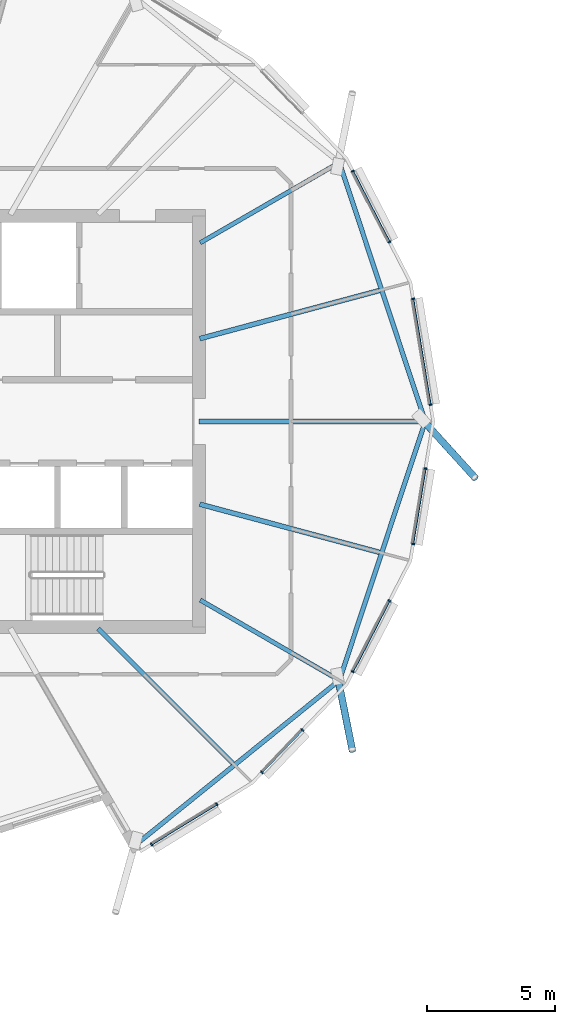
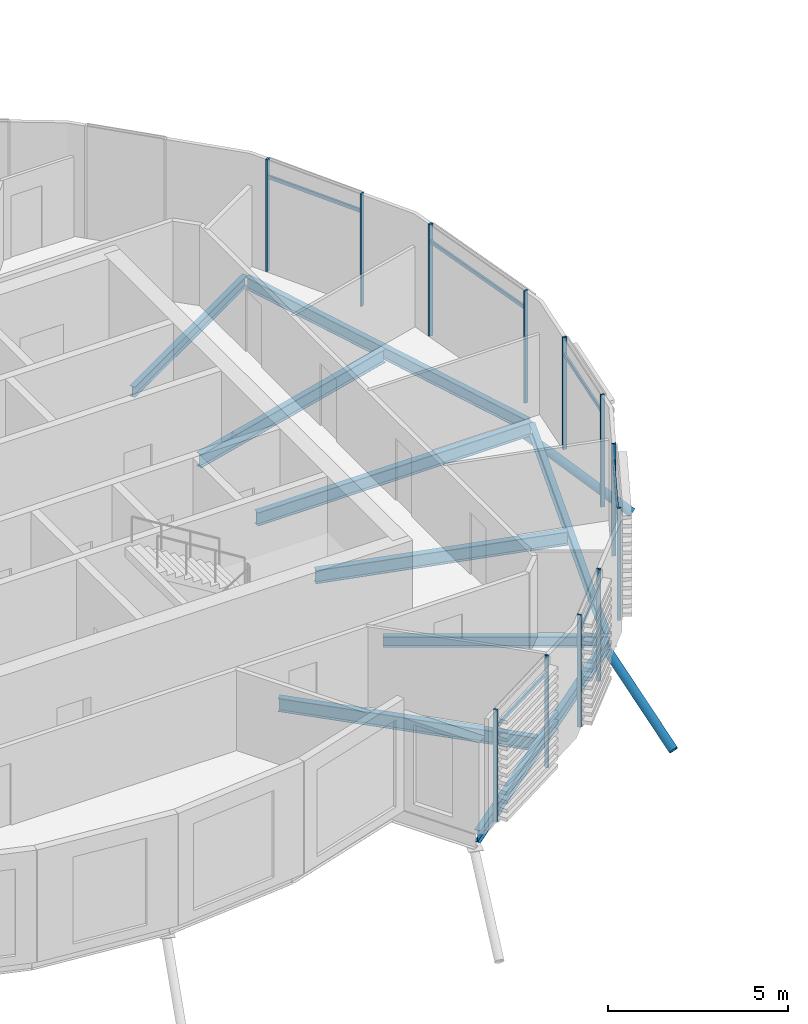
# One storey, part 6 of 41: 20 members, 9 beams, 1 element without a shape of its own.
"""IFC4 building model written with IfcOpenShell, lengths in metres."""

import ifcopenshell
import ifcopenshell.guid

model = None  # the IFC model being written
_history = None  # IfcOwnerHistory: only IFC2X3 demands one
_inside = {}  # id of a spatial element -> (the spatial element, [elements in it])
_under = {}  # id of a project, library or spatial element -> (it, [spatial elements below it])
_declared = {}  # id of a project -> (the project, [libraries it declares])
_typed = {}  # id of a type object -> (the type object, [elements of that type])
_made_of = {}  # id of a material, layer set ... -> (it, [elements and type objects made of it])


def new_model(schema):
    """Start an empty IFC model of exactly this schema.

    Asked for "IFC4X3", IfcOpenShell would pick the latest addendum, in which some entities
    have other attributes; the version numbers below select the first issue.
    IFC2X3 requires an IfcOwnerHistory on every rooted entity: one is made here for all.
    """
    global model, _history
    if schema == "IFC4X3":
        model = ifcopenshell.file(schema_version=(4, 3, 0, 0))
    else:
        model = ifcopenshell.file(schema=schema)
    _inside.clear()
    _under.clear()
    _declared.clear()
    _typed.clear()
    _made_of.clear()
    _history = None
    if model.schema == "IFC2X3":
        org = make("IfcOrganization", Name="unknown")
        user = make(
            "IfcPersonAndOrganization",
            ThePerson=make("IfcPerson", FamilyName="unknown"),
            TheOrganization=org,
        )
        app = make(
            "IfcApplication",
            ApplicationDeveloper=org,
            Version="unknown",
            ApplicationFullName="unknown",
            ApplicationIdentifier="unknown",
        )
        _history = make(
            "IfcOwnerHistory",
            OwningUser=user,
            OwningApplication=app,
            ChangeAction="ADDED",
            CreationDate=0,
        )
    return model


def make(cls, **values):
    """One entity of the class cls with the attributes given. An attribute that is None is left unset."""
    return model.create_entity(
        cls, **{name: value for name, value in values.items() if value is not None}
    )


def rooted(cls, **values):
    """An entity with a GlobalId (a new one), such as an element, a storey or a relation."""
    return make(cls, GlobalId=ifcopenshell.guid.new(), OwnerHistory=_history, **values)


def si_unit(unit_type, name, prefix=None):
    """IfcSIUnit, for example si_unit("LENGTHUNIT", "METRE", prefix="MILLI")."""
    return make("IfcSIUnit", UnitType=unit_type, Prefix=prefix, Name=name)


def assignment(units):
    """IfcUnitAssignment: the units of a project."""
    return None if units is None else make("IfcUnitAssignment", Units=units)


def point(xyz):
    """IfcCartesianPoint."""
    return None if xyz is None else make("IfcCartesianPoint", Coordinates=xyz)


def direction(xyz):
    """IfcDirection."""
    return None if xyz is None else make("IfcDirection", DirectionRatios=xyz)


def frame(location, z_axis=None, x_axis=None):
    """IfcAxis2Placement3D, a coordinate frame: its origin and axes. An axis left out is left unset."""
    return make(
        "IfcAxis2Placement3D",
        Location=point(location),
        Axis=direction(z_axis),
        RefDirection=direction(x_axis),
    )


def frame_2d(location, x_axis=None):
    """IfcAxis2Placement2D, a coordinate frame in the plane: its origin and x axis."""
    return make(
        "IfcAxis2Placement2D", Location=point(location), RefDirection=direction(x_axis)
    )


def origin():
    """The frame at (0, 0, 0) with its axes left unset."""
    return frame((0.0, 0.0, 0.0))


def origin_2d():
    """The frame at (0, 0) in the plane with its x axis left unset."""
    return frame_2d((0.0, 0.0))


def place(relative_to, where):
    """IfcLocalPlacement: puts the frame where relative to a parent placement (None: the world)."""
    return make(
        "IfcLocalPlacement", PlacementRelTo=relative_to, RelativePlacement=where
    )


def context(
    kind, dimensions, precision=None, world=None, true_north=None, identifier=None
):
    """IfcGeometricRepresentationContext, for example the 3D "Model" context."""
    return make(
        "IfcGeometricRepresentationContext",
        ContextIdentifier=identifier,
        ContextType=kind,
        CoordinateSpaceDimension=dimensions,
        Precision=precision,
        WorldCoordinateSystem=world,
        TrueNorth=true_north,
    )


def subcontext(parent, identifier, kind, view, scale=None):
    """IfcGeometricRepresentationSubContext, for example "Body" below "Model"."""
    return make(
        "IfcGeometricRepresentationSubContext",
        ContextIdentifier=identifier,
        ContextType=kind,
        ParentContext=parent,
        TargetScale=scale,
        TargetView=view,
    )


def project(units=None, contexts=None):
    """IfcProject with its units and contexts."""
    return rooted(
        "IfcProject",
        Name="project",
        RepresentationContexts=contexts,
        UnitsInContext=assignment(units),
    )


def spatial(cls, under=None, at=None, **own):
    """A site, building, storey or space (cls), placed at a placement, below another one or the project."""
    s = rooted(cls, ObjectPlacement=at, **own)
    if under is not None:
        _under.setdefault(under.id(), (under, []))[1].append(s)
    return s


def profile(cls, at=None, kind="AREA", **sizes):
    """A parametric profile (cls). Its sizes go by their IFC names, for example OverallWidth=200.0."""
    return make(cls, ProfileType=kind, Position=at, **sizes)


def rectangle(**sizes):
    """IfcRectangleProfileDef."""
    return profile("IfcRectangleProfileDef", **sizes)


def hollow_circle(**sizes):
    """IfcCircleHollowProfileDef."""
    return profile("IfcCircleHollowProfileDef", **sizes)


def i_section(**sizes):
    """IfcIShapeProfileDef."""
    return profile("IfcIShapeProfileDef", **sizes)


def extrude(swept, where, along, depth):
    """IfcExtrudedAreaSolid: the profile swept, set in the frame where, extruded along a direction by depth."""
    return make(
        "IfcExtrudedAreaSolid",
        SweptArea=swept,
        Position=where,
        ExtrudedDirection=direction(along),
        Depth=depth,
    )


def clip(a, b, op="DIFFERENCE"):
    """IfcBooleanClippingResult: the solid a cut by the half space b."""
    return make(
        "IfcBooleanClippingResult", Operator=op, FirstOperand=a, SecondOperand=b
    )


def halfspace(plane, agree):
    """IfcHalfSpaceSolid: all space on one side of the plane z = 0 of the frame plane."""
    return make(
        "IfcHalfSpaceSolid",
        BaseSurface=make("IfcPlane", Position=plane),
        AgreementFlag=agree,
    )


def shape(context_of_items, identifier, shape_type, items):
    """IfcShapeRepresentation: the items that make up one representation, for example the "Body"."""
    return make(
        "IfcShapeRepresentation",
        ContextOfItems=context_of_items,
        RepresentationIdentifier=identifier,
        RepresentationType=shape_type,
        Items=items,
    )


def material(Name=None, Category=None):
    """IfcMaterial."""
    return make("IfcMaterial", Name=Name, Category=Category)


def material_profile(
    of_material, cross_section, Name=None, Category=None, Priority=None
):
    """IfcMaterialProfile: a cross section and its material."""
    return make(
        "IfcMaterialProfile",
        Name=Name,
        Material=of_material,
        Profile=cross_section,
        Priority=Priority,
        Category=Category,
    )


def profile_set(profiles, Name=None, composite=None):
    """IfcMaterialProfileSet."""
    return make(
        "IfcMaterialProfileSet",
        Name=Name,
        MaterialProfiles=profiles,
        CompositeProfile=composite,
    )


def made_of(thing, what):
    """Note that an element or type object is made of a material, layer set ...; save() writes the relation."""
    if what is not None:
        _made_of.setdefault(what.id(), (what, []))[1].append(thing)
    return thing


def type_object(cls, material=None, **own):
    """A type object (cls), such as IfcWallType, which elements share."""
    return made_of(rooted(cls, **own), material)


def element(
    cls,
    number,
    at=None,
    inside=None,
    cuts=None,
    type_object=None,
    material=None,
    context=None,
    identifier="Body",
    shape_type=None,
    held_by="IfcProductDefinitionShape",
    body=None,
    shapes=None,
    **own,
):
    """One element of the class cls, such as IfcWall. Its Tag is "e" and its number.

    at: its placement. inside: the storey or other place that contains it. cuts: it is an
    opening in that element (IfcRelVoidsElement). A single representation is given by context,
    identifier, shape_type and body (its items); several are given by shapes. held_by: the class
    of the entity that holds the representations. save() writes the other relations.
    """
    e = rooted(cls, Tag="e%d" % number, ObjectPlacement=at, **own)
    if body is not None:
        shapes = [shape(context, identifier, shape_type, body)]
    if shapes is not None:
        e.Representation = make(held_by, Representations=shapes)
    if inside is not None:
        _inside.setdefault(inside.id(), (inside, []))[1].append(e)
    if cuts is not None:
        rooted(
            "IfcRelVoidsElement", RelatingBuildingElement=cuts, RelatedOpeningElement=e
        )
    if type_object is not None:
        _typed.setdefault(type_object.id(), (type_object, []))[1].append(e)
    return made_of(e, material)


def aggregate(whole, parts):
    """IfcRelAggregates: a whole, such as a stair, and the parts it consists of."""
    return rooted("IfcRelAggregates", RelatingObject=whole, RelatedObjects=parts)


def save(model, path):
    """Write the relations noted so far, then the file.

    IfcRelAggregates (storeys below a building ...), IfcRelContainedInSpatialStructure (elements
    in a storey), IfcRelDefinesByType, IfcRelAssociatesMaterial and IfcRelDeclares: one each for
    every whole, place, type object, material and project.
    """
    for whole, parts in _under.values():
        aggregate(whole, parts)
    for where, things in _inside.values():
        rooted(
            "IfcRelContainedInSpatialStructure",
            RelatedElements=things,
            RelatingStructure=where,
        )
    for kind, things in _typed.values():
        rooted("IfcRelDefinesByType", RelatedObjects=things, RelatingType=kind)
    for what, things in _made_of.values():
        rooted("IfcRelAssociatesMaterial", RelatedObjects=things, RelatingMaterial=what)
    for by, libraries in _declared.values():
        rooted("IfcRelDeclares", RelatingContext=by, RelatedDefinitions=libraries)
    model.write(path)


model = new_model("IFC4")

# Units and contexts
model_context = context("Model", 3, precision=1e-05, world=origin(), true_north=direction((0.0, 1.0)))
body_context = subcontext(model_context, "Body", "Model", "MODEL_VIEW")
ifc_project = project(units=[si_unit("LENGTHUNIT", "METRE"), si_unit("AREAUNIT", "SQUARE_METRE"), si_unit("VOLUMEUNIT", "CUBIC_METRE"), si_unit("PLANEANGLEUNIT", "RADIAN"), si_unit("MASSUNIT", "GRAM", prefix="KILO")], contexts=[model_context])

# Site, building, storey
site_placement = place(None, origin())
site = spatial("IfcSite", under=ifc_project, at=site_placement, CompositionType="ELEMENT")
building_placement = place(site_placement, origin())
building = spatial("IfcBuilding", under=site, at=building_placement, Name="Rimbun Link Towers", CompositionType="ELEMENT")
storey_placement = place(building_placement, frame((0.0, 0.0, 214.300048828125)))
storey = spatial("IfcBuildingStorey", under=building, at=storey_placement, Name="L52", CompositionType="ELEMENT", Elevation=214.300048828125)

# Curtain wall, members
ifc_material_1 = material(Name="Aluminium 6063-T6 and low-iron glass", Category="aluminium")
curtain_wall_type = type_object("IfcCurtainWallType", Name="CW1-Z4 unitised vision wall (zone 4)", PredefinedType="NOTDEFINED", material=ifc_material_1)
curtain_wall_placement = place(storey_placement, origin())
curtain_wall = element("IfcCurtainWall", 1, at=curtain_wall_placement, inside=storey, type_object=curtain_wall_type, Name="CW1 L52 T1", PredefinedType="NOTDEFINED")
ifc_material_2 = material(Name="Aluminium 6063-T6", Category="aluminium")
ifc_material_profile_1 = material_profile(ifc_material_2, rectangle(XDim=0.1201171875, YDim=0.06005859375, at=origin_2d()), Name="MULLION 60X120")
ifc_profile_set_1 = profile_set([ifc_material_profile_1], Name="Aluminium 6063-T6")
member_type_1 = type_object("IfcMemberType", Name="CW1 mullion 60X120", PredefinedType="MULLION", material=ifc_profile_set_1)
member_1_placement = place(storey_placement, frame((-11.413818359375, 4.773193359375, 0.0), z_axis=(0.0, 0.0, 1.0), x_axis=(0.986747369979, 0.162264068235, 0.0)))
member_1 = element("IfcMember", 2, at=member_1_placement, type_object=member_type_1, Name="CW1 mullion", PredefinedType="MULLION", context=body_context, shape_type="SweptSolid", body=[
    extrude(rectangle(XDim=0.1201171875, YDim=0.06005859375, at=origin_2d()), origin(), (0.0, 0.0, 1.0), 3.800048828125),
])
member_2_placement = place(storey_placement, frame((-10.736083984375, 0.651123046875, 0.0), z_axis=(0.0, 0.0, 1.0), x_axis=(0.986747369979, 0.162264068235, 0.0)))
member_2 = element("IfcMember", 3, at=member_2_placement, type_object=member_type_1, Name="CW1 mullion", PredefinedType="MULLION", context=body_context, shape_type="SweptSolid", body=[
    extrude(rectangle(XDim=0.1201171875, YDim=0.06005859375, at=origin_2d()), origin(), (0.0, 0.0, 1.0), 3.800048828125),
])
member_3_placement = place(storey_placement, frame((-13.759033203125, 9.74951171875, 0.0), z_axis=(0.0, 0.0, 1.0), x_axis=(0.888150016656, 0.459553639865, 0.0)))
member_3 = element("IfcMember", 4, at=member_3_placement, type_object=member_type_1, Name="CW1 mullion", PredefinedType="MULLION", context=body_context, shape_type="SweptSolid", body=[
    extrude(rectangle(XDim=0.1201171875, YDim=0.06005859375, at=origin_2d()), origin(), (0.0, 0.0, 1.0), 3.800048828125),
])
member_4_placement = place(storey_placement, frame((-12.32958984375, 6.98681640625, 0.0), z_axis=(0.0, 0.0, 1.0), x_axis=(0.888150016656, 0.459553639865, 0.0)))
member_4 = element("IfcMember", 5, at=member_4_placement, type_object=member_type_1, Name="CW1 mullion", PredefinedType="MULLION", context=body_context, shape_type="SweptSolid", body=[
    extrude(rectangle(XDim=0.1201171875, YDim=0.06005859375, at=origin_2d()), origin(), (0.0, 0.0, 1.0), 3.800048828125),
])
member_5_placement = place(storey_placement, frame((-19.0556640625, -14.914794921875, 0.0), z_axis=(0.0, 0.0, 1.0), x_axis=(0.523242195727, -0.852184020392, 0.0)))
member_5 = element("IfcMember", 6, at=member_5_placement, type_object=member_type_1, Name="CW1 mullion", PredefinedType="MULLION", context=body_context, shape_type="SweptSolid", body=[
    extrude(rectangle(XDim=0.1201171875, YDim=0.06005859375, at=origin_2d()), origin(), (0.0, 0.0, 1.0), 3.800048828125),
])
member_6_placement = place(storey_placement, frame((-21.60009765625, -16.47705078125, 0.0), z_axis=(0.0, 0.0, 1.0), x_axis=(0.523242195727, -0.852184020392, 0.0)))
member_6 = element("IfcMember", 7, at=member_6_placement, type_object=member_type_1, Name="CW1 mullion", PredefinedType="MULLION", context=body_context, shape_type="SweptSolid", body=[
    extrude(rectangle(XDim=0.1201171875, YDim=0.06005859375, at=origin_2d()), origin(), (0.0, 0.0, 1.0), 3.800048828125),
])
member_7_placement = place(storey_placement, frame((-15.71728515625, -12.0205078125, 0.0), z_axis=(0.0, 0.0, 1.0), x_axis=(0.721846446019, -0.692053255443, 0.0)))
member_7 = element("IfcMember", 8, at=member_7_placement, type_object=member_type_1, Name="CW1 mullion", PredefinedType="MULLION", context=body_context, shape_type="SweptSolid", body=[
    extrude(rectangle(XDim=0.1201171875, YDim=0.06005859375, at=origin_2d()), origin(), (0.0, 0.0, 1.0), 3.800048828125),
])
member_8_placement = place(storey_placement, frame((-17.299560546875, -13.6708984375, 0.0), z_axis=(0.0, 0.0, 1.0), x_axis=(0.721846446019, -0.692053255443, 0.0)))
member_8 = element("IfcMember", 9, at=member_8_placement, type_object=member_type_1, Name="CW1 mullion", PredefinedType="MULLION", context=body_context, shape_type="SweptSolid", body=[
    extrude(rectangle(XDim=0.1201171875, YDim=0.06005859375, at=origin_2d()), origin(), (0.0, 0.0, 1.0), 3.800048828125),
])
member_9_placement = place(storey_placement, frame((-12.32958984375, -6.98681640625, 0.0), z_axis=(0.0, 0.0, 1.0), x_axis=(0.888150016656, -0.459553639865, 0.0)))
member_9 = element("IfcMember", 10, at=member_9_placement, type_object=member_type_1, Name="CW1 mullion", PredefinedType="MULLION", context=body_context, shape_type="SweptSolid", body=[
    extrude(rectangle(XDim=0.1201171875, YDim=0.06005859375, at=origin_2d()), origin(), (0.0, 0.0, 1.0), 3.800048828125),
])
member_10_placement = place(storey_placement, frame((-13.759033203125, -9.74951171875, 0.0), z_axis=(0.0, 0.0, 1.0), x_axis=(0.888150016656, -0.459553639865, 0.0)))
member_10 = element("IfcMember", 11, at=member_10_placement, type_object=member_type_1, Name="CW1 mullion", PredefinedType="MULLION", context=body_context, shape_type="SweptSolid", body=[
    extrude(rectangle(XDim=0.1201171875, YDim=0.06005859375, at=origin_2d()), origin(), (0.0, 0.0, 1.0), 3.800048828125),
])
member_11_placement = place(storey_placement, frame((-10.9306640625, -1.835205078125, 0.0), z_axis=(0.0, 0.0, 1.0), x_axis=(0.986747369979, -0.162264068235, 0.0)))
member_11 = element("IfcMember", 12, at=member_11_placement, type_object=member_type_1, Name="CW1 mullion", PredefinedType="MULLION", context=body_context, shape_type="SweptSolid", body=[
    extrude(rectangle(XDim=0.1201171875, YDim=0.06005859375, at=origin_2d()), origin(), (0.0, 0.0, 1.0), 3.800048828125),
])
member_12_placement = place(storey_placement, frame((-11.413818359375, -4.773193359375, 0.0), z_axis=(0.0, 0.0, 1.0), x_axis=(0.986747369979, -0.162264068235, 0.0)))
member_12 = element("IfcMember", 13, at=member_12_placement, type_object=member_type_1, Name="CW1 mullion", PredefinedType="MULLION", context=body_context, shape_type="SweptSolid", body=[
    extrude(rectangle(XDim=0.1201171875, YDim=0.06005859375, at=origin_2d()), origin(), (0.0, 0.0, 1.0), 3.800048828125),
])
ifc_material_3 = material(Name="Aluminium 6063-T6", Category="aluminium")
ifc_material_profile_2 = material_profile(ifc_material_3, rectangle(XDim=0.06005859375, YDim=0.1201171875, at=origin_2d()), Name="TRANSOM 60X120")
ifc_profile_set_2 = profile_set([ifc_material_profile_2], Name="Aluminium 6063-T6")
member_type_2 = type_object("IfcMemberType", Name="CW1 transom 60X120", PredefinedType="USERDEFINED", material=ifc_profile_set_2)
member_13_placement = place(storey_placement, frame((-11.4111328125, 4.743408203125, 3.199951171875), z_axis=(0.162283312675, -0.986744205165, 0.0), x_axis=(0.986744205165, 0.162283312675, 0.0)))
member_13 = element("IfcMember", 14, at=member_13_placement, type_object=member_type_2, Name="CW1 transom", ObjectType="TRANSOM", PredefinedType="USERDEFINED", context=body_context, shape_type="SweptSolid", body=[
    extrude(rectangle(XDim=0.06005859375, YDim=0.1201171875, at=origin_2d()), origin(), (0.0, 0.0, 1.0), 4.11767578125),
])
member_14_placement = place(storey_placement, frame((-13.7470703125, 9.721923828125, 3.199951171875), z_axis=(0.459527419058, -0.888163583544, 0.0), x_axis=(0.888163583544, 0.459527419058, 0.0)))
member_14 = element("IfcMember", 15, at=member_14_placement, type_object=member_type_2, Name="CW1 transom", ObjectType="TRANSOM", PredefinedType="USERDEFINED", context=body_context, shape_type="SweptSolid", body=[
    extrude(rectangle(XDim=0.06005859375, YDim=0.1201171875, at=origin_2d()), origin(), (0.0, 0.0, 1.0), 3.050537109375),
])
member_15_placement = place(storey_placement, frame((-19.082275390625, -14.9287109375, 3.199951171875), z_axis=(-0.852176447693, -0.523254528883, 0.0), x_axis=(0.523254528883, -0.852176447693, 0.0)))
member_15 = element("IfcMember", 16, at=member_15_placement, type_object=member_type_2, Name="CW1 transom", ObjectType="TRANSOM", PredefinedType="USERDEFINED", context=body_context, shape_type="SweptSolid", body=[
    extrude(rectangle(XDim=0.06005859375, YDim=0.1201171875, at=origin_2d()), origin(), (0.0, 0.0, 1.0), 2.926025390625),
])
member_16_placement = place(storey_placement, frame((-15.739501953125, -12.040771484375, 3.199951171875), z_axis=(-0.692036343125, -0.721862659925, 0.0), x_axis=(0.721862659925, -0.692036343125, 0.0)))
member_16 = element("IfcMember", 17, at=member_16_placement, type_object=member_type_2, Name="CW1 transom", ObjectType="TRANSOM", PredefinedType="USERDEFINED", context=body_context, shape_type="SweptSolid", body=[
    extrude(rectangle(XDim=0.06005859375, YDim=0.1201171875, at=origin_2d()), origin(), (0.0, 0.0, 1.0), 2.226318359375),
])
member_17_placement = place(storey_placement, frame((-12.34521484375, -7.012451171875, 3.199951171875), z_axis=(-0.459527419058, -0.888163583544, 0.0), x_axis=(0.888163583544, -0.459527419058, 0.0)))
member_17 = element("IfcMember", 18, at=member_17_placement, type_object=member_type_2, Name="CW1 transom", ObjectType="TRANSOM", PredefinedType="USERDEFINED", context=body_context, shape_type="SweptSolid", body=[
    extrude(rectangle(XDim=0.06005859375, YDim=0.1201171875, at=origin_2d()), origin(), (0.0, 0.0, 1.0), 3.050537109375),
])
member_18_placement = place(storey_placement, frame((-10.937744140625, -1.864501953125, 3.199951171875), z_axis=(-0.162254593898, -0.986748927924, 0.0), x_axis=(0.986748927924, -0.162254593898, 0.0)))
member_18 = element("IfcMember", 19, at=member_18_placement, type_object=member_type_2, Name="CW1 transom", ObjectType="TRANSOM", PredefinedType="USERDEFINED", context=body_context, shape_type="SweptSolid", body=[
    extrude(rectangle(XDim=0.06005859375, YDim=0.1201171875, at=origin_2d()), origin(), (0.0, 0.0, 1.0), 2.91748046875),
])
aggregate(curtain_wall, [member_1, member_2, member_3, member_4, member_5, member_6, member_7, member_8, member_9, member_10, member_11, member_12, member_13, member_14, member_15, member_16, member_17, member_18])

# Members
ifc_material_4 = material(Name="Steel S355J2H", Category="steel")
ifc_material_profile_3 = material_profile(ifc_material_4, hollow_circle(Radius=0.136474609375, WallThickness=0.012451171875, at=origin_2d()), Name="CHS 273x12.5")
ifc_profile_set_3 = profile_set([ifc_material_profile_3], Name="Steel S355J2H")
member_type_3 = type_object("IfcMemberType", Name="Floor edge link CHS 273x12.5", PredefinedType="BRACE", material=ifc_profile_set_3)
member_19_placement = place(storey_placement, frame((-10.9931640625, 0.0, -0.708740234375), z_axis=(0.566404964932, -0.624219715621, -0.538084716685), x_axis=(0.740570122869, 0.671979086813, 0.0)))
element("IfcMember", 20, at=member_19_placement, inside=storey, type_object=member_type_3, Name="Floor edge link T1 L52 00", PredefinedType="BRACE", context=body_context, shape_type="Clipping", body=[
    clip(extrude(hollow_circle(Radius=0.136474609375, WallThickness=0.012451171875, at=origin_2d()), frame((0.0, 0.0, -0.4462890625)), (0.0, 0.0, 1.0), 3.980712890625), halfspace(frame((0.0, 0.0, -0.21044921875), z_axis=(0.0, 0.842890762596, -0.538084716685)), False)),
])
member_20_placement = place(storey_placement, frame((-14.331298828125, -10.056640625, -0.607421875), z_axis=(0.16139199476, -0.806888561414, -0.568228363853), x_axis=(0.980577337686, 0.196132824424, 0.0)))
element("IfcMember", 21, at=member_20_placement, inside=storey, type_object=member_type_3, Name="Floor edge link T1 L52 22", PredefinedType="BRACE", context=body_context, shape_type="Clipping", body=[
    clip(extrude(hollow_circle(Radius=0.136474609375, WallThickness=0.012451171875, at=origin_2d()), frame((0.0, 0.0, -0.412841796875)), (0.0, 0.0, 1.0), 3.83154296875), halfspace(frame((0.0, 0.0, -0.1943359375), z_axis=(0.0, 0.822870905132, -0.568228363853)), False)),
])

# Beams
ifc_material_5 = material(Name="Steel S355J2", Category="steel")
ifc_material_profile_4 = material_profile(ifc_material_5, i_section(OverallWidth=0.17138671875, OverallDepth=0.35498046875, WebThickness=0.00732421875, FlangeThickness=0.011474609375, at=origin_2d()), Name="UB 356x171x51")
ifc_profile_set_4 = profile_set([ifc_material_profile_4], Name="Steel S355J2")
beam_type_1 = type_object("IfcBeamType", Name="UB 356x171x51", PredefinedType="BEAM", material=ifc_profile_set_4)
for number, where, z_axis, x_axis, name in (
    (22, (-19.706298828125, 6.95361328125, -0.317626953125), (0.866027676865, 0.499996062888, 0.0), (-0.499996062888, 0.866027676865, 0.0), "Radial beam T1 L52 02"),
    (23, (-19.706298828125, -6.95361328125, -0.317626953125), (0.866027676865, -0.499996062888, 0.0), (0.499996062888, 0.866027676865, 0.0), "Radial beam T1 L52 22"),
):
    element("IfcBeam", number, at=place(storey_placement, frame(where, z_axis=z_axis, x_axis=x_axis)), inside=storey, type_object=beam_type_1, Name=name, PredefinedType="BEAM", context=body_context, shape_type="SweptSolid", body=[
        extrude(i_section(OverallWidth=0.17138671875, OverallDepth=0.35498046875, WebThickness=0.00732421875, FlangeThickness=0.011474609375, at=origin_2d()), origin(), (0.0, 0.0, 1.0), 6.25634765625),
    ])
ifc_material_6 = material(Name="Steel S355J2", Category="steel")
ifc_material_profile_5 = material_profile(ifc_material_6, i_section(OverallWidth=0.177978515625, OverallDepth=0.406494140625, WebThickness=0.0078125, FlangeThickness=0.0126953125, at=origin_2d()), Name="UB 406x178x60")
ifc_profile_set_5 = profile_set([ifc_material_profile_5], Name="Steel S355J2")
beam_type_2 = type_object("IfcBeamType", Name="UB 406x178x60", PredefinedType="BEAM", material=ifc_profile_set_5)
beam_1_placement = place(storey_placement, frame((-10.97509765625, 0.095947265625, -0.34326171875), z_axis=(-0.314879467801, 0.949131666713, 0.0), x_axis=(-0.949131666713, -0.314879467801, 0.0)))
element("IfcBeam", 24, at=beam_1_placement, inside=storey, type_object=beam_type_2, Name="Edge beam T1 L52 00-02", PredefinedType="BEAM", context=body_context, shape_type="SweptSolid", body=[
    extrude(i_section(OverallWidth=0.177978515625, OverallDepth=0.406494140625, WebThickness=0.0078125, FlangeThickness=0.0126953125, at=origin_2d()), origin(), (0.0, 0.0, 1.0), 10.432373046875),
])
beam_2_placement = place(storey_placement, frame((-22.144775390625, -16.425537109375, -0.34326171875), z_axis=(0.778027876304, 0.628229753907, 0.0), x_axis=(-0.628229753907, 0.778027876304, 0.0)))
element("IfcBeam", 25, at=beam_2_placement, inside=storey, type_object=beam_type_2, Name="Edge beam T1 L52 20-22", PredefinedType="BEAM", context=body_context, shape_type="SweptSolid", body=[
    extrude(i_section(OverallWidth=0.177978515625, OverallDepth=0.406494140625, WebThickness=0.0078125, FlangeThickness=0.0126953125, at=origin_2d()), origin(), (0.0, 0.0, 1.0), 10.00537109375),
])
beam_3_placement = place(storey_placement, frame((-14.260009765625, -9.99755859375, -0.34326171875), z_axis=(0.314879467801, 0.949131666713, 0.0), x_axis=(-0.949131666713, 0.314879467801, 0.0)))
element("IfcBeam", 26, at=beam_3_placement, inside=storey, type_object=beam_type_2, Name="Edge beam T1 L52 22-00", PredefinedType="BEAM", context=body_context, shape_type="SweptSolid", body=[
    extrude(i_section(OverallWidth=0.177978515625, OverallDepth=0.406494140625, WebThickness=0.0078125, FlangeThickness=0.0126953125, at=origin_2d()), origin(), (0.0, 0.0, 1.0), 10.432373046875),
])
ifc_material_7 = material(Name="Steel S355J2", Category="steel")
ifc_material_profile_6 = material_profile(ifc_material_7, i_section(OverallWidth=0.18994140625, OverallDepth=0.453369140625, WebThickness=0.008544921875, FlangeThickness=0.0126953125, at=origin_2d()), Name="UB 457x191x67")
ifc_profile_set_6 = profile_set([ifc_material_profile_6], Name="Steel S355J2")
beam_type_3 = type_object("IfcBeamType", Name="UB 457x191x67", PredefinedType="BEAM", material=ifc_profile_set_6)
beam_4_placement = place(storey_placement, frame((-19.7490234375, 0.0, -0.36669921875), z_axis=(1.0, 0.0, 0.0), x_axis=(0.0, 1.0, 0.0)))
element("IfcBeam", 27, at=beam_4_placement, inside=storey, type_object=beam_type_3, Name="Radial beam T1 L52 00", PredefinedType="BEAM", context=body_context, shape_type="SweptSolid", body=[
    extrude(i_section(OverallWidth=0.18994140625, OverallDepth=0.453369140625, WebThickness=0.008544921875, FlangeThickness=0.0126953125, at=origin_2d()), origin(), (0.0, 0.0, 1.0), 8.805908203125),
])
beam_5_placement = place(storey_placement, frame((-19.724609375, 3.22216796875, -0.36669921875), z_axis=(0.965924276963, 0.258824827198, 0.0), x_axis=(-0.258824827198, 0.965924276963, 0.0)))
element("IfcBeam", 28, at=beam_5_placement, inside=storey, type_object=beam_type_3, Name="Radial beam T1 L52 01", PredefinedType="BEAM", context=body_context, shape_type="SweptSolid", body=[
    extrude(i_section(OverallWidth=0.18994140625, OverallDepth=0.453369140625, WebThickness=0.008544921875, FlangeThickness=0.0126953125, at=origin_2d()), origin(), (0.0, 0.0, 1.0), 7.242431640625),
])
beam_6_placement = place(storey_placement, frame((-23.68212890625, -8.06787109375, -0.36669921875), z_axis=(0.707106781187, -0.707106781187, 0.0), x_axis=(0.707106781187, 0.707106781187, 0.0)))
element("IfcBeam", 29, at=beam_6_placement, inside=storey, type_object=beam_type_3, Name="Radial beam T1 L52 21", PredefinedType="BEAM", context=body_context, shape_type="SweptSolid", body=[
    extrude(i_section(OverallWidth=0.18994140625, OverallDepth=0.453369140625, WebThickness=0.008544921875, FlangeThickness=0.0126953125, at=origin_2d()), origin(), (0.0, 0.0, 1.0), 7.420166015625),
])
beam_7_placement = place(storey_placement, frame((-19.724609375, -3.22216796875, -0.36669921875), z_axis=(0.965924276963, -0.258824827198, 0.0), x_axis=(0.258824827198, 0.965924276963, 0.0)))
element("IfcBeam", 30, at=beam_7_placement, inside=storey, type_object=beam_type_3, Name="Radial beam T1 L52 23", PredefinedType="BEAM", context=body_context, shape_type="SweptSolid", body=[
    extrude(i_section(OverallWidth=0.18994140625, OverallDepth=0.453369140625, WebThickness=0.008544921875, FlangeThickness=0.0126953125, at=origin_2d()), origin(), (0.0, 0.0, 1.0), 7.242431640625),
])

save(model, "model.ifc")
